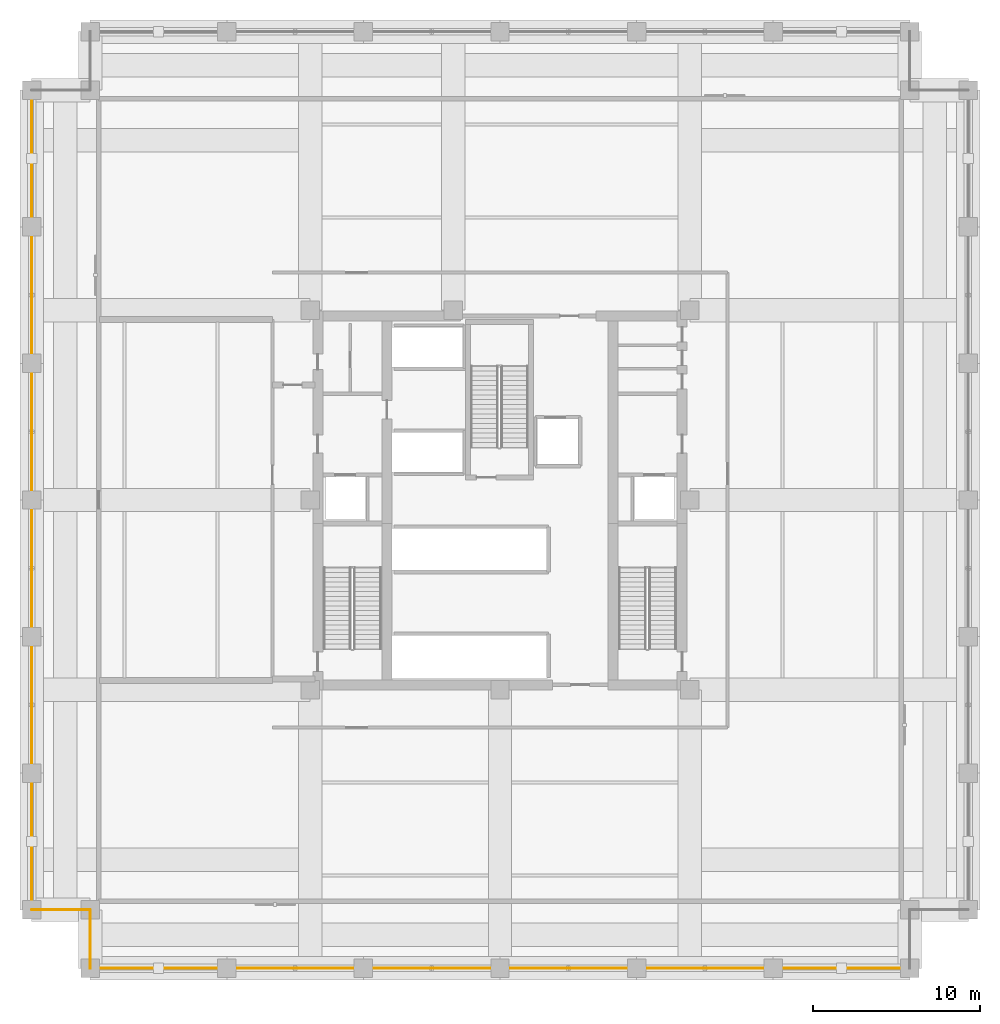
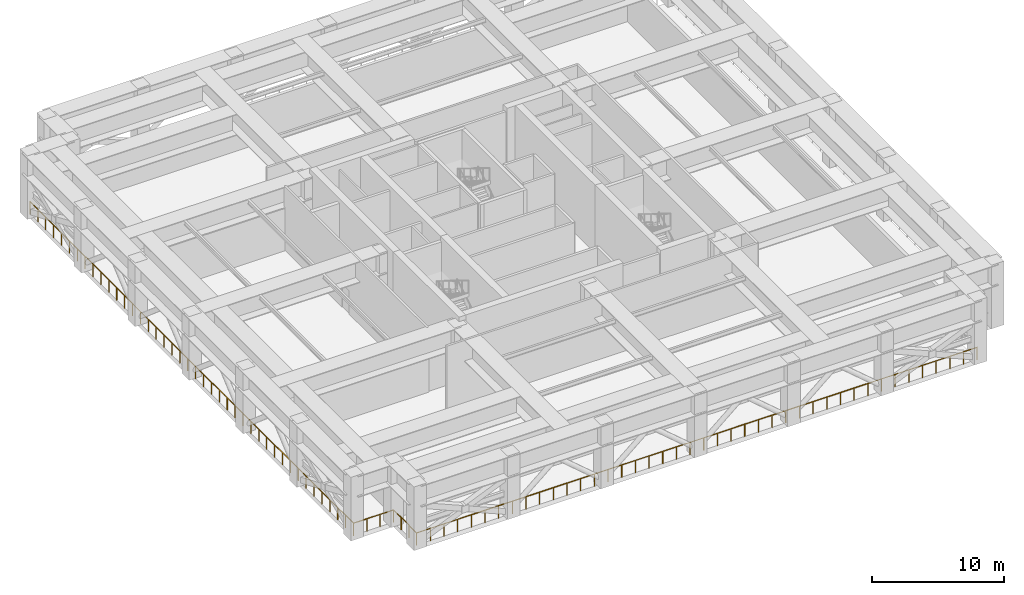
# One storey, part 7 of 12: 4 railings.
"""IFC4 building model written with IfcOpenShell, lengths in metres."""

from ifc_helpers import new_model, si_unit, direction, frame, origin, origin_2d, place, context, subcontext, project, spatial, circle, extrude, material, type_object, element, save


model = new_model("IFC4")

# Units and contexts
model_context = context("Model", 3, precision=1e-05, world=origin(), true_north=direction((0.0, 1.0)))
body_context = subcontext(model_context, "Body", "Model", "MODEL_VIEW")
ifc_project = project(units=[si_unit("LENGTHUNIT", "METRE"), si_unit("AREAUNIT", "SQUARE_METRE"), si_unit("VOLUMEUNIT", "CUBIC_METRE"), si_unit("PLANEANGLEUNIT", "RADIAN"), si_unit("MASSUNIT", "GRAM", prefix="KILO")], contexts=[model_context])

# Site, building, storey
site_placement = place(None, origin())
site = spatial("IfcSite", under=ifc_project, at=site_placement, CompositionType="ELEMENT")
building_placement = place(site_placement, origin())
building = spatial("IfcBuilding", under=site, at=building_placement, Name="Nhamokura Convention Tower", CompositionType="ELEMENT")
storey_placement = place(building_placement, frame((0.0, 0.0, 99.75)))
storey = spatial("IfcBuildingStorey", under=building, at=storey_placement, Name="L24", CompositionType="ELEMENT", Elevation=99.75)

# Railings
ifc_material = material(Name="Anodised bronze stainless steel", Category="steel")
railing_type = type_object("IfcRailingType", Name="TerraceGuardrail_1150", PredefinedType="GUARDRAIL", material=ifc_material)
railing_1_placement = place(storey_placement, frame((7.5, 4.0, 0.0)))
element("IfcRailing", 1, at=railing_1_placement, inside=storey, type_object=railing_type, Name="L24 Perimeter Guardrail 01", PredefinedType="GUARDRAIL", context=body_context, shape_type="SweptSolid", body=[
    extrude(circle(Radius=0.02392578125, at=origin_2d()), frame((0.0, 0.0, 1.1259765625), z_axis=(1.0, 0.0, 0.0), x_axis=(0.0, 1.0, 0.0)), (0.0, 0.0, 1.0), 49.0),
    extrude(circle(Radius=0.02099609375, at=origin_2d()), origin(), (0.0, 0.0, 1.0), 1.101806640625),
    extrude(circle(Radius=0.02099609375, at=origin_2d()), frame((1.195068359375, 0.0, 0.0)), (0.0, 0.0, 1.0), 1.101806640625),
    extrude(circle(Radius=0.02099609375, at=origin_2d()), frame((2.39013671875, 0.0, 0.0)), (0.0, 0.0, 1.0), 1.101806640625),
    extrude(circle(Radius=0.02099609375, at=origin_2d()), frame((3.58544921875, 0.0, 0.0)), (0.0, 0.0, 1.0), 1.101806640625),
    extrude(circle(Radius=0.02099609375, at=origin_2d()), frame((4.780517578125, 0.0, 0.0)), (0.0, 0.0, 1.0), 1.101806640625),
    extrude(circle(Radius=0.02099609375, at=origin_2d()), frame((5.9755859375, 0.0, 0.0)), (0.0, 0.0, 1.0), 1.101806640625),
    extrude(circle(Radius=0.02099609375, at=origin_2d()), frame((7.170654296875, 0.0, 0.0)), (0.0, 0.0, 1.0), 1.101806640625),
    extrude(circle(Radius=0.02099609375, at=origin_2d()), frame((8.365966796875, 0.0, 0.0)), (0.0, 0.0, 1.0), 1.101806640625),
    extrude(circle(Radius=0.02099609375, at=origin_2d()), frame((9.56103515625, 0.0, 0.0)), (0.0, 0.0, 1.0), 1.101806640625),
    extrude(circle(Radius=0.02099609375, at=origin_2d()), frame((10.756103515625, 0.0, 0.0)), (0.0, 0.0, 1.0), 1.101806640625),
    extrude(circle(Radius=0.02099609375, at=origin_2d()), frame((11.951171875, 0.0, 0.0)), (0.0, 0.0, 1.0), 1.101806640625),
    extrude(circle(Radius=0.02099609375, at=origin_2d()), frame((13.146240234375, 0.0, 0.0)), (0.0, 0.0, 1.0), 1.101806640625),
    extrude(circle(Radius=0.02099609375, at=origin_2d()), frame((14.341552734375, 0.0, 0.0)), (0.0, 0.0, 1.0), 1.101806640625),
    extrude(circle(Radius=0.02099609375, at=origin_2d()), frame((15.53662109375, 0.0, 0.0)), (0.0, 0.0, 1.0), 1.101806640625),
    extrude(circle(Radius=0.02099609375, at=origin_2d()), frame((16.731689453125, 0.0, 0.0)), (0.0, 0.0, 1.0), 1.101806640625),
    extrude(circle(Radius=0.02099609375, at=origin_2d()), frame((17.9267578125, 0.0, 0.0)), (0.0, 0.0, 1.0), 1.101806640625),
    extrude(circle(Radius=0.02099609375, at=origin_2d()), frame((19.1220703125, 0.0, 0.0)), (0.0, 0.0, 1.0), 1.101806640625),
    extrude(circle(Radius=0.02099609375, at=origin_2d()), frame((20.317138671875, 0.0, 0.0)), (0.0, 0.0, 1.0), 1.101806640625),
    extrude(circle(Radius=0.02099609375, at=origin_2d()), frame((21.51220703125, 0.0, 0.0)), (0.0, 0.0, 1.0), 1.101806640625),
    extrude(circle(Radius=0.02099609375, at=origin_2d()), frame((22.707275390625, 0.0, 0.0)), (0.0, 0.0, 1.0), 1.101806640625),
    extrude(circle(Radius=0.02099609375, at=origin_2d()), frame((23.90234375, 0.0, 0.0)), (0.0, 0.0, 1.0), 1.101806640625),
    extrude(circle(Radius=0.02099609375, at=origin_2d()), frame((25.09765625, 0.0, 0.0)), (0.0, 0.0, 1.0), 1.101806640625),
    extrude(circle(Radius=0.02099609375, at=origin_2d()), frame((26.292724609375, 0.0, 0.0)), (0.0, 0.0, 1.0), 1.101806640625),
    extrude(circle(Radius=0.02099609375, at=origin_2d()), frame((27.48779296875, 0.0, 0.0)), (0.0, 0.0, 1.0), 1.101806640625),
    extrude(circle(Radius=0.02099609375, at=origin_2d()), frame((28.682861328125, 0.0, 0.0)), (0.0, 0.0, 1.0), 1.101806640625),
    extrude(circle(Radius=0.02099609375, at=origin_2d()), frame((29.8779296875, 0.0, 0.0)), (0.0, 0.0, 1.0), 1.101806640625),
    extrude(circle(Radius=0.02099609375, at=origin_2d()), frame((31.0732421875, 0.0, 0.0)), (0.0, 0.0, 1.0), 1.101806640625),
    extrude(circle(Radius=0.02099609375, at=origin_2d()), frame((32.268310546875, 0.0, 0.0)), (0.0, 0.0, 1.0), 1.101806640625),
    extrude(circle(Radius=0.02099609375, at=origin_2d()), frame((33.46337890625, 0.0, 0.0)), (0.0, 0.0, 1.0), 1.101806640625),
    extrude(circle(Radius=0.02099609375, at=origin_2d()), frame((34.658447265625, 0.0, 0.0)), (0.0, 0.0, 1.0), 1.101806640625),
    extrude(circle(Radius=0.02099609375, at=origin_2d()), frame((35.853759765625, 0.0, 0.0)), (0.0, 0.0, 1.0), 1.101806640625),
    extrude(circle(Radius=0.02099609375, at=origin_2d()), frame((37.048828125, 0.0, 0.0)), (0.0, 0.0, 1.0), 1.101806640625),
    extrude(circle(Radius=0.02099609375, at=origin_2d()), frame((38.243896484375, 0.0, 0.0)), (0.0, 0.0, 1.0), 1.101806640625),
    extrude(circle(Radius=0.02099609375, at=origin_2d()), frame((39.43896484375, 0.0, 0.0)), (0.0, 0.0, 1.0), 1.101806640625),
    extrude(circle(Radius=0.02099609375, at=origin_2d()), frame((40.634033203125, 0.0, 0.0)), (0.0, 0.0, 1.0), 1.101806640625),
    extrude(circle(Radius=0.02099609375, at=origin_2d()), frame((41.829345703125, 0.0, 0.0)), (0.0, 0.0, 1.0), 1.101806640625),
    extrude(circle(Radius=0.02099609375, at=origin_2d()), frame((43.0244140625, 0.0, 0.0)), (0.0, 0.0, 1.0), 1.101806640625),
    extrude(circle(Radius=0.02099609375, at=origin_2d()), frame((44.219482421875, 0.0, 0.0)), (0.0, 0.0, 1.0), 1.101806640625),
    extrude(circle(Radius=0.02099609375, at=origin_2d()), frame((45.41455078125, 0.0, 0.0)), (0.0, 0.0, 1.0), 1.101806640625),
    extrude(circle(Radius=0.02099609375, at=origin_2d()), frame((46.60986328125, 0.0, 0.0)), (0.0, 0.0, 1.0), 1.101806640625),
    extrude(circle(Radius=0.02099609375, at=origin_2d()), frame((47.804931640625, 0.0, 0.0)), (0.0, 0.0, 1.0), 1.101806640625),
    extrude(circle(Radius=0.02099609375, at=origin_2d()), frame((49.0, 0.0, 0.0)), (0.0, 0.0, 1.0), 1.101806640625),
])
railing_2_placement = place(storey_placement, frame((4.0, 56.5, 0.0)))
element("IfcRailing", 2, at=railing_2_placement, inside=storey, type_object=railing_type, Name="L24 Perimeter Guardrail 10", PredefinedType="GUARDRAIL", context=body_context, shape_type="SweptSolid", body=[
    extrude(circle(Radius=0.02392578125, at=origin_2d()), frame((0.0, 0.0, 1.1259765625), z_axis=(0.0, -1.0, 0.0), x_axis=(1.0, 0.0, 0.0)), (0.0, 0.0, 1.0), 49.0),
    extrude(circle(Radius=0.02099609375, at=origin_2d()), origin(), (0.0, 0.0, 1.0), 1.101806640625),
    extrude(circle(Radius=0.02099609375, at=origin_2d()), frame((0.0, -1.195068359375, 0.0)), (0.0, 0.0, 1.0), 1.101806640625),
    extrude(circle(Radius=0.02099609375, at=origin_2d()), frame((0.0, -2.39013671875, 0.0)), (0.0, 0.0, 1.0), 1.101806640625),
    extrude(circle(Radius=0.02099609375, at=origin_2d()), frame((0.0, -3.58544921875, 0.0)), (0.0, 0.0, 1.0), 1.101806640625),
    extrude(circle(Radius=0.02099609375, at=origin_2d()), frame((0.0, -4.780517578125, 0.0)), (0.0, 0.0, 1.0), 1.101806640625),
    extrude(circle(Radius=0.02099609375, at=origin_2d()), frame((0.0, -5.9755859375, 0.0)), (0.0, 0.0, 1.0), 1.101806640625),
    extrude(circle(Radius=0.02099609375, at=origin_2d()), frame((0.0, -7.170654296875, 0.0)), (0.0, 0.0, 1.0), 1.101806640625),
    extrude(circle(Radius=0.02099609375, at=origin_2d()), frame((0.0, -8.365966796875, 0.0)), (0.0, 0.0, 1.0), 1.101806640625),
    extrude(circle(Radius=0.02099609375, at=origin_2d()), frame((0.0, -9.56103515625, 0.0)), (0.0, 0.0, 1.0), 1.101806640625),
    extrude(circle(Radius=0.02099609375, at=origin_2d()), frame((0.0, -10.756103515625, 0.0)), (0.0, 0.0, 1.0), 1.101806640625),
    extrude(circle(Radius=0.02099609375, at=origin_2d()), frame((0.0, -11.951171875, 0.0)), (0.0, 0.0, 1.0), 1.101806640625),
    extrude(circle(Radius=0.02099609375, at=origin_2d()), frame((0.0, -13.146240234375, 0.0)), (0.0, 0.0, 1.0), 1.101806640625),
    extrude(circle(Radius=0.02099609375, at=origin_2d()), frame((0.0, -14.341552734375, 0.0)), (0.0, 0.0, 1.0), 1.101806640625),
    extrude(circle(Radius=0.02099609375, at=origin_2d()), frame((0.0, -15.53662109375, 0.0)), (0.0, 0.0, 1.0), 1.101806640625),
    extrude(circle(Radius=0.02099609375, at=origin_2d()), frame((0.0, -16.731689453125, 0.0)), (0.0, 0.0, 1.0), 1.101806640625),
    extrude(circle(Radius=0.02099609375, at=origin_2d()), frame((0.0, -17.9267578125, 0.0)), (0.0, 0.0, 1.0), 1.101806640625),
    extrude(circle(Radius=0.02099609375, at=origin_2d()), frame((0.0, -19.1220703125, 0.0)), (0.0, 0.0, 1.0), 1.101806640625),
    extrude(circle(Radius=0.02099609375, at=origin_2d()), frame((0.0, -20.317138671875, 0.0)), (0.0, 0.0, 1.0), 1.101806640625),
    extrude(circle(Radius=0.02099609375, at=origin_2d()), frame((0.0, -21.51220703125, 0.0)), (0.0, 0.0, 1.0), 1.101806640625),
    extrude(circle(Radius=0.02099609375, at=origin_2d()), frame((0.0, -22.707275390625, 0.0)), (0.0, 0.0, 1.0), 1.101806640625),
    extrude(circle(Radius=0.02099609375, at=origin_2d()), frame((0.0, -23.90234375, 0.0)), (0.0, 0.0, 1.0), 1.101806640625),
    extrude(circle(Radius=0.02099609375, at=origin_2d()), frame((0.0, -25.09765625, 0.0)), (0.0, 0.0, 1.0), 1.101806640625),
    extrude(circle(Radius=0.02099609375, at=origin_2d()), frame((0.0, -26.292724609375, 0.0)), (0.0, 0.0, 1.0), 1.101806640625),
    extrude(circle(Radius=0.02099609375, at=origin_2d()), frame((0.0, -27.48779296875, 0.0)), (0.0, 0.0, 1.0), 1.101806640625),
    extrude(circle(Radius=0.02099609375, at=origin_2d()), frame((0.0, -28.682861328125, 0.0)), (0.0, 0.0, 1.0), 1.101806640625),
    extrude(circle(Radius=0.02099609375, at=origin_2d()), frame((0.0, -29.8779296875, 0.0)), (0.0, 0.0, 1.0), 1.101806640625),
    extrude(circle(Radius=0.02099609375, at=origin_2d()), frame((0.0, -31.0732421875, 0.0)), (0.0, 0.0, 1.0), 1.101806640625),
    extrude(circle(Radius=0.02099609375, at=origin_2d()), frame((0.0, -32.268310546875, 0.0)), (0.0, 0.0, 1.0), 1.101806640625),
    extrude(circle(Radius=0.02099609375, at=origin_2d()), frame((0.0, -33.46337890625, 0.0)), (0.0, 0.0, 1.0), 1.101806640625),
    extrude(circle(Radius=0.02099609375, at=origin_2d()), frame((0.0, -34.658447265625, 0.0)), (0.0, 0.0, 1.0), 1.101806640625),
    extrude(circle(Radius=0.02099609375, at=origin_2d()), frame((0.0, -35.853759765625, 0.0)), (0.0, 0.0, 1.0), 1.101806640625),
    extrude(circle(Radius=0.02099609375, at=origin_2d()), frame((0.0, -37.048828125, 0.0)), (0.0, 0.0, 1.0), 1.101806640625),
    extrude(circle(Radius=0.02099609375, at=origin_2d()), frame((0.0, -38.243896484375, 0.0)), (0.0, 0.0, 1.0), 1.101806640625),
    extrude(circle(Radius=0.02099609375, at=origin_2d()), frame((0.0, -39.43896484375, 0.0)), (0.0, 0.0, 1.0), 1.101806640625),
    extrude(circle(Radius=0.02099609375, at=origin_2d()), frame((0.0, -40.634033203125, 0.0)), (0.0, 0.0, 1.0), 1.101806640625),
    extrude(circle(Radius=0.02099609375, at=origin_2d()), frame((0.0, -41.829345703125, 0.0)), (0.0, 0.0, 1.0), 1.101806640625),
    extrude(circle(Radius=0.02099609375, at=origin_2d()), frame((0.0, -43.0244140625, 0.0)), (0.0, 0.0, 1.0), 1.101806640625),
    extrude(circle(Radius=0.02099609375, at=origin_2d()), frame((0.0, -44.219482421875, 0.0)), (0.0, 0.0, 1.0), 1.101806640625),
    extrude(circle(Radius=0.02099609375, at=origin_2d()), frame((0.0, -45.41455078125, 0.0)), (0.0, 0.0, 1.0), 1.101806640625),
    extrude(circle(Radius=0.02099609375, at=origin_2d()), frame((0.0, -46.60986328125, 0.0)), (0.0, 0.0, 1.0), 1.101806640625),
    extrude(circle(Radius=0.02099609375, at=origin_2d()), frame((0.0, -47.804931640625, 0.0)), (0.0, 0.0, 1.0), 1.101806640625),
    extrude(circle(Radius=0.02099609375, at=origin_2d()), frame((0.0, -49.0, 0.0)), (0.0, 0.0, 1.0), 1.101806640625),
])
railing_3_placement = place(storey_placement, frame((4.0, 7.5, 0.0)))
element("IfcRailing", 3, at=railing_3_placement, inside=storey, type_object=railing_type, Name="L24 Perimeter Guardrail 11", PredefinedType="GUARDRAIL", context=body_context, shape_type="SweptSolid", body=[
    extrude(circle(Radius=0.02392578125, at=origin_2d()), frame((0.0, 0.0, 1.1259765625), z_axis=(1.0, 0.0, 0.0), x_axis=(0.0, 1.0, 0.0)), (0.0, 0.0, 1.0), 3.5),
    extrude(circle(Radius=0.02099609375, at=origin_2d()), origin(), (0.0, 0.0, 1.0), 1.101806640625),
    extrude(circle(Radius=0.02099609375, at=origin_2d()), frame((1.166748046875, 0.0, 0.0)), (0.0, 0.0, 1.0), 1.101806640625),
    extrude(circle(Radius=0.02099609375, at=origin_2d()), frame((2.333251953125, 0.0, 0.0)), (0.0, 0.0, 1.0), 1.101806640625),
    extrude(circle(Radius=0.02099609375, at=origin_2d()), frame((3.5, 0.0, 0.0)), (0.0, 0.0, 1.0), 1.101806640625),
])
railing_4_placement = place(storey_placement, frame((7.5, 7.5, 0.0)))
element("IfcRailing", 4, at=railing_4_placement, inside=storey, type_object=railing_type, Name="L24 Perimeter Guardrail 12", PredefinedType="GUARDRAIL", context=body_context, shape_type="SweptSolid", body=[
    extrude(circle(Radius=0.02392578125, at=origin_2d()), frame((0.0, 0.0, 1.1259765625), z_axis=(0.0, -1.0, 0.0), x_axis=(1.0, 0.0, 0.0)), (0.0, 0.0, 1.0), 3.5),
    extrude(circle(Radius=0.02099609375, at=origin_2d()), origin(), (0.0, 0.0, 1.0), 1.101806640625),
    extrude(circle(Radius=0.02099609375, at=origin_2d()), frame((0.0, -1.166748046875, 0.0)), (0.0, 0.0, 1.0), 1.101806640625),
    extrude(circle(Radius=0.02099609375, at=origin_2d()), frame((0.0, -2.333251953125, 0.0)), (0.0, 0.0, 1.0), 1.101806640625),
    extrude(circle(Radius=0.02099609375, at=origin_2d()), frame((0.0, -3.5, 0.0)), (0.0, 0.0, 1.0), 1.101806640625),
])

save(model, "model.ifc")
